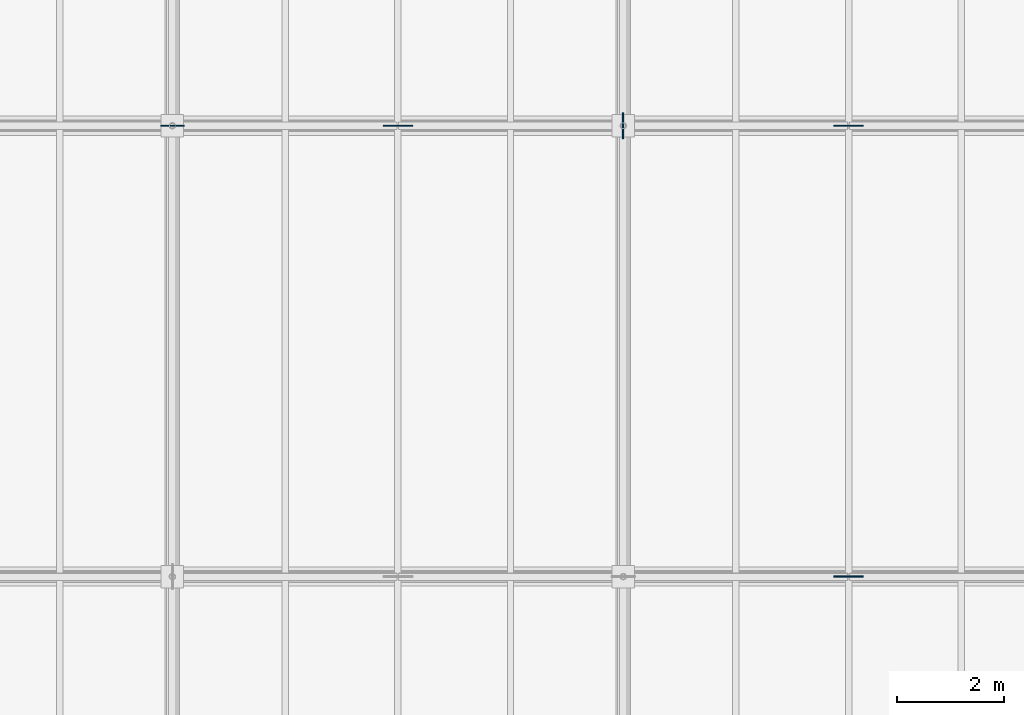
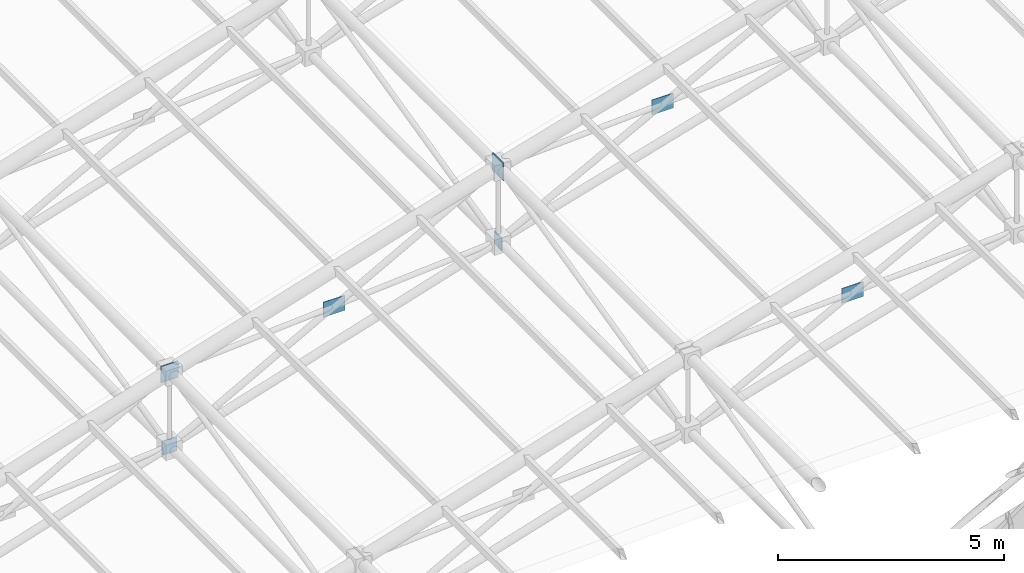
# One storey, part 117 of 144: 7 plates.
"""IFC4 building model written with IfcOpenShell, lengths in metres."""

from ifc_helpers import new_model, si_unit, direction, frame, origin, origin_2d, place, context, subcontext, project, spatial, rectangle, extrude, material, layer, layer_set, type_object, element, save


model = new_model("IFC4")

# Units and contexts
model_context = context("Model", 3, precision=1e-05, world=origin(), true_north=direction((0.0, 1.0)))
body_context = subcontext(model_context, "Body", "Model", "MODEL_VIEW")
ifc_project = project(units=[si_unit("LENGTHUNIT", "METRE"), si_unit("AREAUNIT", "SQUARE_METRE"), si_unit("VOLUMEUNIT", "CUBIC_METRE"), si_unit("PLANEANGLEUNIT", "RADIAN"), si_unit("MASSUNIT", "GRAM", prefix="KILO")], contexts=[model_context])

# Site, building, storey
site_placement = place(None, origin())
site = spatial("IfcSite", under=ifc_project, at=site_placement, CompositionType="ELEMENT")
building_placement = place(site_placement, origin())
building = spatial("IfcBuilding", under=site, at=building_placement, Name="Zayran Congress Hotel", CompositionType="ELEMENT")
storey_placement = place(building_placement, frame((0.0, 0.0, 19.199951171875)))
storey = spatial("IfcBuildingStorey", under=building, at=storey_placement, Name="L04", CompositionType="ELEMENT", Elevation=19.199951171875)

# Plates
ifc_material = material(Name="Steel S355", Category="steel")
ifc_layer_1 = layer(ifc_material, 0.02490234375)
ifc_layer_set_1 = layer_set([ifc_layer_1], Name="Steel S355")
plate_type_1 = type_object("IfcPlateType", Name="TP-SN-CP1", PredefinedType="USERDEFINED", material=ifc_layer_set_1)
plate_1_placement = place(storey_placement, frame((25.199951171875, 84.39990234375, 7.08203125), z_axis=(0.0, 0.0, 1.0), x_axis=(1.0, 0.0, 0.0)))
element("IfcPlate", 1, at=plate_1_placement, inside=storey, type_object=plate_type_1, Name="Space Frame Node Cap Plate 17", ObjectType="GUSSET_PLATE", PredefinedType="USERDEFINED", context=body_context, shape_type="SweptSolid", body=[
    extrude(rectangle(XDim=0.43994140625, YDim=0.02490234375, at=origin_2d()), origin(), (0.0, 0.0, 1.0), 0.43994140625),
])
ifc_layer_2 = layer(ifc_material, 0.02490234375)
ifc_layer_set_2 = layer_set([ifc_layer_2], Name="Steel S355")
plate_type_2 = type_object("IfcPlateType", Name="TP-SN-CP2", PredefinedType="USERDEFINED", material=ifc_layer_set_2)
plate_2_placement = place(storey_placement, frame((25.199951171875, 84.39990234375, 5.110107421875), z_axis=(0.0, 0.0, 1.0), x_axis=(1.0, 0.0, 0.0)))
element("IfcPlate", 2, at=plate_2_placement, inside=storey, type_object=plate_type_2, Name="Space Frame Node Cap Plate 94", ObjectType="GUSSET_PLATE", PredefinedType="USERDEFINED", context=body_context, shape_type="SweptSolid", body=[
    extrude(rectangle(XDim=0.3798828125, YDim=0.02490234375, at=origin_2d()), origin(), (0.0, 0.0, 1.0), 0.3798828125),
])
ifc_layer_3 = layer(ifc_material, 0.02001953125)
ifc_layer_set_3 = layer_set([ifc_layer_3], Name="Steel S355")
plate_type_3 = type_object("IfcPlateType", Name="TP-SN-CP3", PredefinedType="USERDEFINED", material=ifc_layer_set_3)
plate_3_placement = place(storey_placement, frame((33.60009765625, 84.39990234375, 7.72998046875), z_axis=(0.0, 0.0, 1.0), x_axis=(0.0, 1.0, 0.0)))
element("IfcPlate", 3, at=plate_3_placement, inside=storey, type_object=plate_type_3, Name="Space Frame Node Cap Plate 101", ObjectType="GUSSET_PLATE", PredefinedType="USERDEFINED", context=body_context, shape_type="SweptSolid", body=[
    extrude(rectangle(XDim=0.340087890625, YDim=0.02001953125, at=origin_2d()), origin(), (0.0, 0.0, 1.0), 0.340087890625),
])
ifc_layer_4 = layer(ifc_material, 0.028076171875)
ifc_layer_set_4 = layer_set([ifc_layer_4], Name="Steel S355")
plate_type_4 = type_object("IfcPlateType", Name="TP-SN-CP4", PredefinedType="USERDEFINED", material=ifc_layer_set_4)
plate_4_placement = place(storey_placement, frame((33.60009765625, 84.39990234375, 9.662109375), z_axis=(0.0, 0.0, 1.0), x_axis=(0.0, 1.0, 0.0)))
element("IfcPlate", 4, at=plate_4_placement, inside=storey, type_object=plate_type_4, Name="Space Frame Node Cap Plate 24", ObjectType="GUSSET_PLATE", PredefinedType="USERDEFINED", context=body_context, shape_type="SweptSolid", body=[
    extrude(rectangle(XDim=0.47998046875, YDim=0.028076171875, at=origin_2d()), origin(), (0.0, 0.0, 1.0), 0.47998046875),
])
ifc_layer_5 = layer(ifc_material, 0.02490234375)
ifc_layer_set_5 = layer_set([ifc_layer_5], Name="Steel S355")
plate_type_5 = type_object("IfcPlateType", Name="TP-GS-01", PredefinedType="USERDEFINED", material=ifc_layer_set_5)
for number, where, z_axis, x_axis, name in (
    (5, (29.39990234375, 84.39990234375, 7.401123046875), (0.0, 0.0, 1.0), (1.0, 0.0, 0.0), "V1 Brace Crossing Gusset Plate 23"),
    (6, (37.800048828125, 76.0, 9.926025390625), (0.0, 0.0, 1.0), (1.0, 0.0, 0.0), "V1 Brace Crossing Gusset Plate 29"),
    (7, (37.800048828125, 84.39990234375, 9.926025390625), (0.0, 0.0, 1.0), (1.0, 0.0, 0.0), "V1 Brace Crossing Gusset Plate 30"),
):
    element("IfcPlate", number, at=place(storey_placement, frame(where, z_axis=z_axis, x_axis=x_axis)), inside=storey, type_object=plate_type_5, Name=name, ObjectType="GUSSET_PLATE", PredefinedType="USERDEFINED", context=body_context, shape_type="SweptSolid", body=[
        extrude(rectangle(XDim=0.550048828125, YDim=0.02490234375, at=origin_2d()), origin(), (0.0, 0.0, 1.0), 0.39990234375),
    ])

save(model, "model.ifc")
